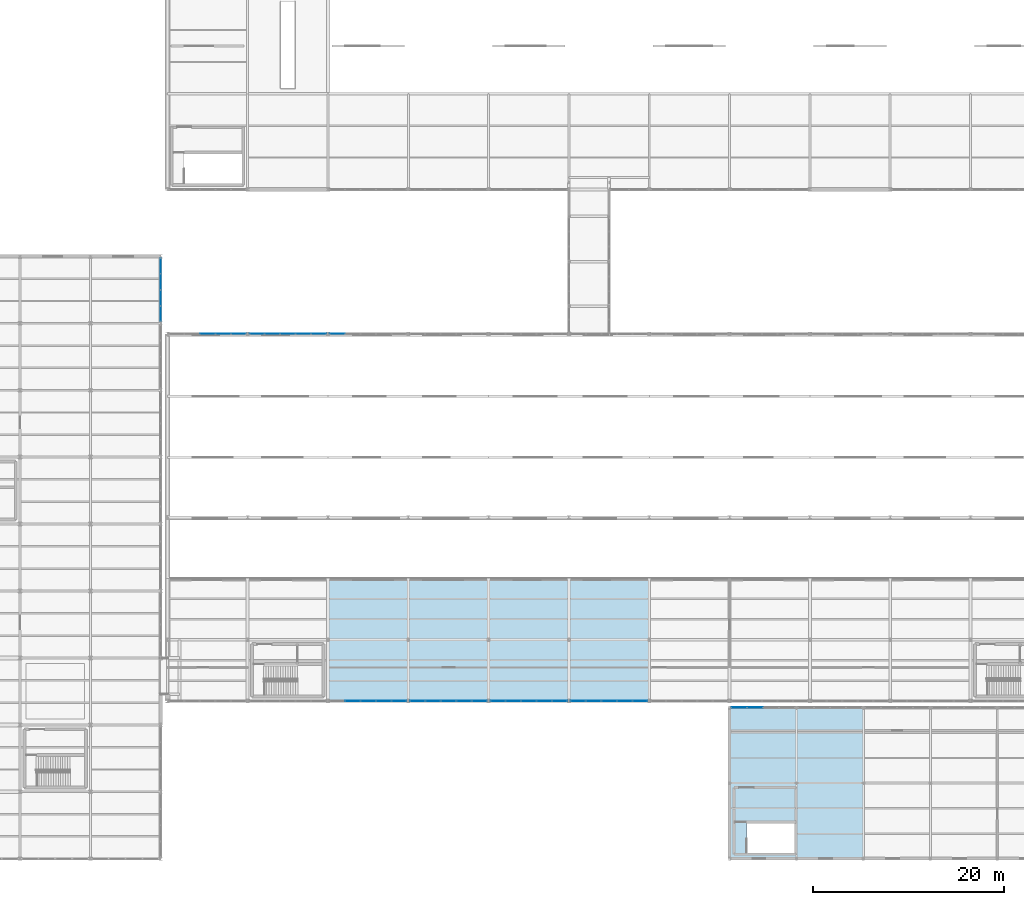
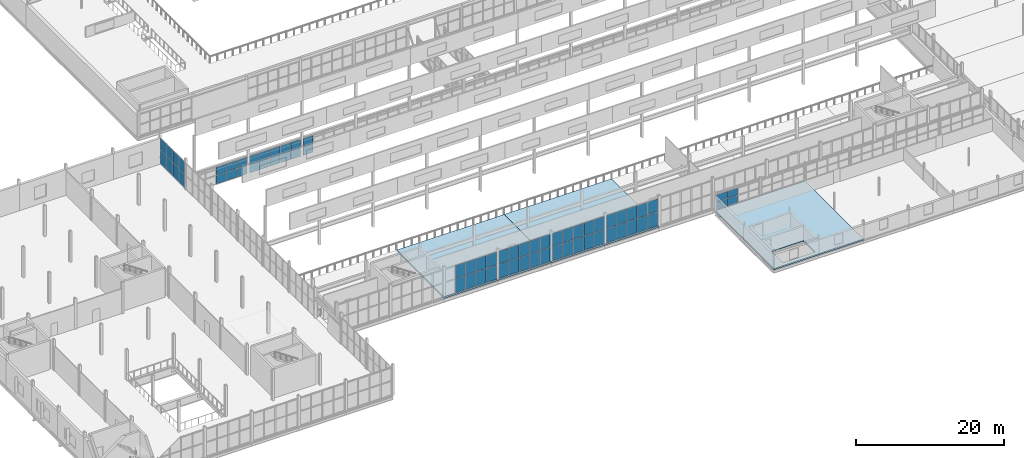
# One storey, part 180 of 218: 68 plates, 3 slabs, 9 elements without a shape of their own.
"""IFC4 building model written with IfcOpenShell, lengths in metres."""

from ifc_helpers import new_model, si_unit, direction, frame, origin, origin_2d, place, context, subcontext, project, spatial, polyline, rectangle, outline, extrude, material, layer, layer_set, type_object, element, aggregate, save


model = new_model("IFC4")

# Units and contexts
model_context = context("Model", 3, precision=1e-05, world=origin(), true_north=direction((0.0, 1.0)))
body_context = subcontext(model_context, "Body", "Model", "MODEL_VIEW")
ifc_project = project(units=[si_unit("LENGTHUNIT", "METRE"), si_unit("AREAUNIT", "SQUARE_METRE"), si_unit("VOLUMEUNIT", "CUBIC_METRE"), si_unit("PLANEANGLEUNIT", "RADIAN"), si_unit("MASSUNIT", "GRAM", prefix="KILO")], contexts=[model_context])

# Site, building, storey
site_placement = place(None, origin())
site = spatial("IfcSite", under=ifc_project, at=site_placement, CompositionType="ELEMENT")
building_placement = place(site_placement, origin())
building = spatial("IfcBuilding", under=site, at=building_placement, Name="Kazenagashi Tramway Depot", CompositionType="ELEMENT")
storey_placement = place(building_placement, frame((0.0, 0.0, 6.0)))
storey = spatial("IfcBuildingStorey", under=building, at=storey_placement, Name="L02", CompositionType="ELEMENT", Elevation=6.0)

# Curtain wall, plates
ifc_material_1 = material(Name="Anodised Aluminium and Low-E Glazing", Category="aluminium")
curtain_wall_type_1 = type_object("IfcCurtainWallType", Name="CW-20", PredefinedType="USERDEFINED", material=ifc_material_1)
curtain_wall_1_placement = place(storey_placement, origin())
curtain_wall_1 = element("IfcCurtainWall", 1, at=curtain_wall_1_placement, inside=storey, type_object=curtain_wall_type_1, Name="Industrial Glazed Screen CW-20 CW-0097", ObjectType="GLAZED SCREEN", PredefinedType="USERDEFINED")
ifc_material_2 = material(Name="Tempered Laminated Low-E Glass", Category="glass")
ifc_layer_1 = layer(ifc_material_2, 0.016)
ifc_layer_set_1 = layer_set([ifc_layer_1], Name="Tempered Laminated Low-E Glass")
plate_type_1 = type_object("IfcPlateType", Name="GL-01", PredefinedType="CURTAIN_PANEL", material=ifc_layer_set_1)
plate_1_placement = place(storey_placement, frame((64.176, 16.5, 0.06), z_axis=(0.0, 0.0, 1.0), x_axis=(1.0, 0.0, 0.0)))
plate_1 = element("IfcPlate", 2, at=plate_1_placement, type_object=plate_type_1, Name="CW-20 panel 2.1", PredefinedType="CURTAIN_PANEL", context=body_context, shape_type="SweptSolid", body=[
    extrude(rectangle(XDim=1.564, YDim=0.016, at=origin_2d()), origin(), (0.0, 0.0, 1.0), 2.302),
])
plate_2_placement = place(storey_placement, frame((64.176, 16.5, 2.422), z_axis=(0.0, 0.0, 1.0), x_axis=(1.0, 0.0, 0.0)))
plate_2 = element("IfcPlate", 3, at=plate_2_placement, type_object=plate_type_1, Name="CW-20 panel 2.2", PredefinedType="CURTAIN_PANEL", context=body_context, shape_type="SweptSolid", body=[
    extrude(rectangle(XDim=1.564, YDim=0.016, at=origin_2d()), origin(), (0.0, 0.0, 1.0), 2.118),
])
plate_3_placement = place(storey_placement, frame((65.8, 16.5, 0.06), z_axis=(0.0, 0.0, 1.0), x_axis=(1.0, 0.0, 0.0)))
plate_3 = element("IfcPlate", 4, at=plate_3_placement, type_object=plate_type_1, Name="CW-20 panel 3.1", PredefinedType="CURTAIN_PANEL", context=body_context, shape_type="SweptSolid", body=[
    extrude(rectangle(XDim=1.564, YDim=0.016, at=origin_2d()), origin(), (0.0, 0.0, 1.0), 2.302),
])
plate_4_placement = place(storey_placement, frame((65.8, 16.5, 2.422), z_axis=(0.0, 0.0, 1.0), x_axis=(1.0, 0.0, 0.0)))
plate_4 = element("IfcPlate", 5, at=plate_4_placement, type_object=plate_type_1, Name="CW-20 panel 3.2", PredefinedType="CURTAIN_PANEL", context=body_context, shape_type="SweptSolid", body=[
    extrude(rectangle(XDim=1.564, YDim=0.016, at=origin_2d()), origin(), (0.0, 0.0, 1.0), 2.118),
])
plate_5_placement = place(storey_placement, frame((67.424, 16.5, 0.06), z_axis=(0.0, 0.0, 1.0), x_axis=(1.0, 0.0, 0.0)))
plate_5 = element("IfcPlate", 6, at=plate_5_placement, type_object=plate_type_1, Name="CW-20 panel 4.1", PredefinedType="CURTAIN_PANEL", context=body_context, shape_type="SweptSolid", body=[
    extrude(rectangle(XDim=1.564, YDim=0.016, at=origin_2d()), origin(), (0.0, 0.0, 1.0), 2.302),
])
plate_6_placement = place(storey_placement, frame((67.424, 16.5, 2.422), z_axis=(0.0, 0.0, 1.0), x_axis=(1.0, 0.0, 0.0)))
plate_6 = element("IfcPlate", 7, at=plate_6_placement, type_object=plate_type_1, Name="CW-20 panel 4.2", PredefinedType="CURTAIN_PANEL", context=body_context, shape_type="SweptSolid", body=[
    extrude(rectangle(XDim=1.564, YDim=0.016, at=origin_2d()), origin(), (0.0, 0.0, 1.0), 2.118),
])
plate_7_placement = place(storey_placement, frame((69.033, 16.5, 0.06), z_axis=(0.0, 0.0, 1.0), x_axis=(1.0, 0.0, 0.0)))
plate_7 = element("IfcPlate", 8, at=plate_7_placement, type_object=plate_type_1, Name="CW-20 panel 5.1", PredefinedType="CURTAIN_PANEL", context=body_context, shape_type="SweptSolid", body=[
    extrude(rectangle(XDim=1.534, YDim=0.016, at=origin_2d()), origin(), (0.0, 0.0, 1.0), 2.302),
])
plate_8_placement = place(storey_placement, frame((69.033, 16.5, 2.422), z_axis=(0.0, 0.0, 1.0), x_axis=(1.0, 0.0, 0.0)))
plate_8 = element("IfcPlate", 9, at=plate_8_placement, type_object=plate_type_1, Name="CW-20 panel 5.2", PredefinedType="CURTAIN_PANEL", context=body_context, shape_type="SweptSolid", body=[
    extrude(rectangle(XDim=1.534, YDim=0.016, at=origin_2d()), origin(), (0.0, 0.0, 1.0), 2.118),
])
aggregate(curtain_wall_1, [plate_1, plate_2, plate_3, plate_4, plate_5, plate_6, plate_7, plate_8])

curtain_wall_2_placement = place(storey_placement, origin())
curtain_wall_2 = element("IfcCurtainWall", 10, at=curtain_wall_2_placement, inside=storey, type_object=curtain_wall_type_1, Name="Industrial Glazed Screen CW-20 CW-0098", ObjectType="GLAZED SCREEN", PredefinedType="USERDEFINED")
ifc_layer_2 = layer(ifc_material_2, 0.018)
ifc_layer_set_2 = layer_set([ifc_layer_2], Name="Tempered Laminated Low-E Glass")
plate_type_2 = type_object("IfcPlateType", Name="GL-02", PredefinedType="CURTAIN_PANEL", material=ifc_layer_set_2)
plate_9_placement = place(storey_placement, frame((70.967, 16.5, 0.06), z_axis=(0.0, 0.0, 1.0), x_axis=(1.0, 0.0, 0.0)))
plate_9 = element("IfcPlate", 11, at=plate_9_placement, type_object=plate_type_2, Name="CW-20 panel 1.1", PredefinedType="CURTAIN_PANEL", context=body_context, shape_type="SweptSolid", body=[
    extrude(rectangle(XDim=1.534, YDim=0.018, at=origin_2d()), origin(), (0.0, 0.0, 1.0), 2.302),
])
plate_10_placement = place(storey_placement, frame((70.967, 16.5, 2.422), z_axis=(0.0, 0.0, 1.0), x_axis=(1.0, 0.0, 0.0)))
plate_10 = element("IfcPlate", 12, at=plate_10_placement, type_object=plate_type_2, Name="CW-20 panel 1.2", PredefinedType="CURTAIN_PANEL", context=body_context, shape_type="SweptSolid", body=[
    extrude(rectangle(XDim=1.534, YDim=0.018, at=origin_2d()), origin(), (0.0, 0.0, 1.0), 2.118),
])
plate_11_placement = place(storey_placement, frame((72.576, 16.5, 0.06), z_axis=(0.0, 0.0, 1.0), x_axis=(1.0, 0.0, 0.0)))
plate_11 = element("IfcPlate", 13, at=plate_11_placement, type_object=plate_type_2, Name="CW-20 panel 2.1", PredefinedType="CURTAIN_PANEL", context=body_context, shape_type="SweptSolid", body=[
    extrude(rectangle(XDim=1.564, YDim=0.018, at=origin_2d()), origin(), (0.0, 0.0, 1.0), 2.302),
])
plate_12_placement = place(storey_placement, frame((72.576, 16.5, 2.422), z_axis=(0.0, 0.0, 1.0), x_axis=(1.0, 0.0, 0.0)))
plate_12 = element("IfcPlate", 14, at=plate_12_placement, type_object=plate_type_2, Name="CW-20 panel 2.2", PredefinedType="CURTAIN_PANEL", context=body_context, shape_type="SweptSolid", body=[
    extrude(rectangle(XDim=1.564, YDim=0.018, at=origin_2d()), origin(), (0.0, 0.0, 1.0), 2.118),
])
plate_13_placement = place(storey_placement, frame((74.2, 16.5, 0.06), z_axis=(0.0, 0.0, 1.0), x_axis=(1.0, 0.0, 0.0)))
plate_13 = element("IfcPlate", 15, at=plate_13_placement, type_object=plate_type_2, Name="CW-20 panel 3.1", PredefinedType="CURTAIN_PANEL", context=body_context, shape_type="SweptSolid", body=[
    extrude(rectangle(XDim=1.564, YDim=0.018, at=origin_2d()), origin(), (0.0, 0.0, 1.0), 2.302),
])
plate_14_placement = place(storey_placement, frame((74.2, 16.5, 2.422), z_axis=(0.0, 0.0, 1.0), x_axis=(1.0, 0.0, 0.0)))
plate_14 = element("IfcPlate", 16, at=plate_14_placement, type_object=plate_type_2, Name="CW-20 panel 3.2", PredefinedType="CURTAIN_PANEL", context=body_context, shape_type="SweptSolid", body=[
    extrude(rectangle(XDim=1.564, YDim=0.018, at=origin_2d()), origin(), (0.0, 0.0, 1.0), 2.118),
])
plate_15_placement = place(storey_placement, frame((75.824, 16.5, 0.06), z_axis=(0.0, 0.0, 1.0), x_axis=(1.0, 0.0, 0.0)))
plate_15 = element("IfcPlate", 17, at=plate_15_placement, type_object=plate_type_2, Name="CW-20 panel 4.1", PredefinedType="CURTAIN_PANEL", context=body_context, shape_type="SweptSolid", body=[
    extrude(rectangle(XDim=1.564, YDim=0.018, at=origin_2d()), origin(), (0.0, 0.0, 1.0), 2.302),
])
plate_16_placement = place(storey_placement, frame((75.824, 16.5, 2.422), z_axis=(0.0, 0.0, 1.0), x_axis=(1.0, 0.0, 0.0)))
plate_16 = element("IfcPlate", 18, at=plate_16_placement, type_object=plate_type_2, Name="CW-20 panel 4.2", PredefinedType="CURTAIN_PANEL", context=body_context, shape_type="SweptSolid", body=[
    extrude(rectangle(XDim=1.564, YDim=0.018, at=origin_2d()), origin(), (0.0, 0.0, 1.0), 2.118),
])
plate_17_placement = place(storey_placement, frame((77.433, 16.5, 0.06), z_axis=(0.0, 0.0, 1.0), x_axis=(1.0, 0.0, 0.0)))
plate_17 = element("IfcPlate", 19, at=plate_17_placement, type_object=plate_type_2, Name="CW-20 panel 5.1", PredefinedType="CURTAIN_PANEL", context=body_context, shape_type="SweptSolid", body=[
    extrude(rectangle(XDim=1.534, YDim=0.018, at=origin_2d()), origin(), (0.0, 0.0, 1.0), 2.302),
])
plate_18_placement = place(storey_placement, frame((77.433, 16.5, 2.422), z_axis=(0.0, 0.0, 1.0), x_axis=(1.0, 0.0, 0.0)))
plate_18 = element("IfcPlate", 20, at=plate_18_placement, type_object=plate_type_2, Name="CW-20 panel 5.2", PredefinedType="CURTAIN_PANEL", context=body_context, shape_type="SweptSolid", body=[
    extrude(rectangle(XDim=1.534, YDim=0.018, at=origin_2d()), origin(), (0.0, 0.0, 1.0), 2.118),
])
aggregate(curtain_wall_2, [plate_9, plate_10, plate_11, plate_12, plate_13, plate_14, plate_15, plate_16, plate_17, plate_18])

curtain_wall_3_placement = place(storey_placement, origin())
curtain_wall_3 = element("IfcCurtainWall", 21, at=curtain_wall_3_placement, inside=storey, type_object=curtain_wall_type_1, Name="Industrial Glazed Screen CW-20 CW-0099", ObjectType="GLAZED SCREEN", PredefinedType="USERDEFINED")
ifc_layer_3 = layer(ifc_material_2, 0.02)
ifc_layer_set_3 = layer_set([ifc_layer_3], Name="Tempered Laminated Low-E Glass")
plate_type_3 = type_object("IfcPlateType", Name="GL-03", PredefinedType="CURTAIN_PANEL", material=ifc_layer_set_3)
plate_19_placement = place(storey_placement, frame((79.367, 16.5, 0.06), z_axis=(0.0, 0.0, 1.0), x_axis=(1.0, 0.0, 0.0)))
plate_19 = element("IfcPlate", 22, at=plate_19_placement, type_object=plate_type_3, Name="CW-20 panel 1.1", PredefinedType="CURTAIN_PANEL", context=body_context, shape_type="SweptSolid", body=[
    extrude(rectangle(XDim=1.534, YDim=0.02, at=origin_2d()), origin(), (0.0, 0.0, 1.0), 2.302),
])
plate_20_placement = place(storey_placement, frame((79.367, 16.5, 2.422), z_axis=(0.0, 0.0, 1.0), x_axis=(1.0, 0.0, 0.0)))
plate_20 = element("IfcPlate", 23, at=plate_20_placement, type_object=plate_type_3, Name="CW-20 panel 1.2", PredefinedType="CURTAIN_PANEL", context=body_context, shape_type="SweptSolid", body=[
    extrude(rectangle(XDim=1.534, YDim=0.02, at=origin_2d()), origin(), (0.0, 0.0, 1.0), 2.118),
])
plate_21_placement = place(storey_placement, frame((80.976, 16.5, 0.06), z_axis=(0.0, 0.0, 1.0), x_axis=(1.0, 0.0, 0.0)))
plate_21 = element("IfcPlate", 24, at=plate_21_placement, type_object=plate_type_3, Name="CW-20 panel 2.1", PredefinedType="CURTAIN_PANEL", context=body_context, shape_type="SweptSolid", body=[
    extrude(rectangle(XDim=1.564, YDim=0.02, at=origin_2d()), origin(), (0.0, 0.0, 1.0), 2.302),
])
plate_22_placement = place(storey_placement, frame((80.976, 16.5, 2.422), z_axis=(0.0, 0.0, 1.0), x_axis=(1.0, 0.0, 0.0)))
plate_22 = element("IfcPlate", 25, at=plate_22_placement, type_object=plate_type_3, Name="CW-20 panel 2.2", PredefinedType="CURTAIN_PANEL", context=body_context, shape_type="SweptSolid", body=[
    extrude(rectangle(XDim=1.564, YDim=0.02, at=origin_2d()), origin(), (0.0, 0.0, 1.0), 2.118),
])
plate_23_placement = place(storey_placement, frame((82.6, 16.5, 0.06), z_axis=(0.0, 0.0, 1.0), x_axis=(1.0, 0.0, 0.0)))
plate_23 = element("IfcPlate", 26, at=plate_23_placement, type_object=plate_type_3, Name="CW-20 panel 3.1", PredefinedType="CURTAIN_PANEL", context=body_context, shape_type="SweptSolid", body=[
    extrude(rectangle(XDim=1.564, YDim=0.02, at=origin_2d()), origin(), (0.0, 0.0, 1.0), 2.302),
])
plate_24_placement = place(storey_placement, frame((82.6, 16.5, 2.422), z_axis=(0.0, 0.0, 1.0), x_axis=(1.0, 0.0, 0.0)))
plate_24 = element("IfcPlate", 27, at=plate_24_placement, type_object=plate_type_3, Name="CW-20 panel 3.2", PredefinedType="CURTAIN_PANEL", context=body_context, shape_type="SweptSolid", body=[
    extrude(rectangle(XDim=1.564, YDim=0.02, at=origin_2d()), origin(), (0.0, 0.0, 1.0), 2.118),
])
plate_25_placement = place(storey_placement, frame((84.224, 16.5, 0.06), z_axis=(0.0, 0.0, 1.0), x_axis=(1.0, 0.0, 0.0)))
plate_25 = element("IfcPlate", 28, at=plate_25_placement, type_object=plate_type_3, Name="CW-20 panel 4.1", PredefinedType="CURTAIN_PANEL", context=body_context, shape_type="SweptSolid", body=[
    extrude(rectangle(XDim=1.564, YDim=0.02, at=origin_2d()), origin(), (0.0, 0.0, 1.0), 2.302),
])
plate_26_placement = place(storey_placement, frame((84.224, 16.5, 2.422), z_axis=(0.0, 0.0, 1.0), x_axis=(1.0, 0.0, 0.0)))
plate_26 = element("IfcPlate", 29, at=plate_26_placement, type_object=plate_type_3, Name="CW-20 panel 4.2", PredefinedType="CURTAIN_PANEL", context=body_context, shape_type="SweptSolid", body=[
    extrude(rectangle(XDim=1.564, YDim=0.02, at=origin_2d()), origin(), (0.0, 0.0, 1.0), 2.118),
])
plate_27_placement = place(storey_placement, frame((85.833, 16.5, 0.06), z_axis=(0.0, 0.0, 1.0), x_axis=(1.0, 0.0, 0.0)))
plate_27 = element("IfcPlate", 30, at=plate_27_placement, type_object=plate_type_3, Name="CW-20 panel 5.1", PredefinedType="CURTAIN_PANEL", context=body_context, shape_type="SweptSolid", body=[
    extrude(rectangle(XDim=1.534, YDim=0.02, at=origin_2d()), origin(), (0.0, 0.0, 1.0), 2.302),
])
plate_28_placement = place(storey_placement, frame((85.833, 16.5, 2.422), z_axis=(0.0, 0.0, 1.0), x_axis=(1.0, 0.0, 0.0)))
plate_28 = element("IfcPlate", 31, at=plate_28_placement, type_object=plate_type_3, Name="CW-20 panel 5.2", PredefinedType="CURTAIN_PANEL", context=body_context, shape_type="SweptSolid", body=[
    extrude(rectangle(XDim=1.534, YDim=0.02, at=origin_2d()), origin(), (0.0, 0.0, 1.0), 2.118),
])
aggregate(curtain_wall_3, [plate_19, plate_20, plate_21, plate_22, plate_23, plate_24, plate_25, plate_26, plate_27, plate_28])

curtain_wall_4_placement = place(storey_placement, origin())
curtain_wall_4 = element("IfcCurtainWall", 32, at=curtain_wall_4_placement, inside=storey, type_object=curtain_wall_type_1, Name="Industrial Glazed Screen CW-20 CW-0100", ObjectType="GLAZED SCREEN", PredefinedType="USERDEFINED")
ifc_layer_4 = layer(ifc_material_2, 0.022)
ifc_layer_set_4 = layer_set([ifc_layer_4], Name="Tempered Laminated Low-E Glass")
plate_type_4 = type_object("IfcPlateType", Name="GL-04", PredefinedType="CURTAIN_PANEL", material=ifc_layer_set_4)
plate_29_placement = place(storey_placement, frame((87.767, 16.5, 0.06), z_axis=(0.0, 0.0, 1.0), x_axis=(1.0, 0.0, 0.0)))
plate_29 = element("IfcPlate", 33, at=plate_29_placement, type_object=plate_type_4, Name="CW-20 panel 1.1", PredefinedType="CURTAIN_PANEL", context=body_context, shape_type="SweptSolid", body=[
    extrude(rectangle(XDim=1.534, YDim=0.022, at=origin_2d()), origin(), (0.0, 0.0, 1.0), 2.302),
])
plate_30_placement = place(storey_placement, frame((87.767, 16.5, 2.422), z_axis=(0.0, 0.0, 1.0), x_axis=(1.0, 0.0, 0.0)))
plate_30 = element("IfcPlate", 34, at=plate_30_placement, type_object=plate_type_4, Name="CW-20 panel 1.2", PredefinedType="CURTAIN_PANEL", context=body_context, shape_type="SweptSolid", body=[
    extrude(rectangle(XDim=1.534, YDim=0.022, at=origin_2d()), origin(), (0.0, 0.0, 1.0), 2.118),
])
plate_31_placement = place(storey_placement, frame((89.376, 16.5, 0.06), z_axis=(0.0, 0.0, 1.0), x_axis=(1.0, 0.0, 0.0)))
plate_31 = element("IfcPlate", 35, at=plate_31_placement, type_object=plate_type_4, Name="CW-20 panel 2.1", PredefinedType="CURTAIN_PANEL", context=body_context, shape_type="SweptSolid", body=[
    extrude(rectangle(XDim=1.564, YDim=0.022, at=origin_2d()), origin(), (0.0, 0.0, 1.0), 2.302),
])
plate_32_placement = place(storey_placement, frame((89.376, 16.5, 2.422), z_axis=(0.0, 0.0, 1.0), x_axis=(1.0, 0.0, 0.0)))
plate_32 = element("IfcPlate", 36, at=plate_32_placement, type_object=plate_type_4, Name="CW-20 panel 2.2", PredefinedType="CURTAIN_PANEL", context=body_context, shape_type="SweptSolid", body=[
    extrude(rectangle(XDim=1.564, YDim=0.022, at=origin_2d()), origin(), (0.0, 0.0, 1.0), 2.118),
])
plate_33_placement = place(storey_placement, frame((91.0, 16.5, 0.06), z_axis=(0.0, 0.0, 1.0), x_axis=(1.0, 0.0, 0.0)))
plate_33 = element("IfcPlate", 37, at=plate_33_placement, type_object=plate_type_4, Name="CW-20 panel 3.1", PredefinedType="CURTAIN_PANEL", context=body_context, shape_type="SweptSolid", body=[
    extrude(rectangle(XDim=1.564, YDim=0.022, at=origin_2d()), origin(), (0.0, 0.0, 1.0), 2.302),
])
plate_34_placement = place(storey_placement, frame((91.0, 16.5, 2.422), z_axis=(0.0, 0.0, 1.0), x_axis=(1.0, 0.0, 0.0)))
plate_34 = element("IfcPlate", 38, at=plate_34_placement, type_object=plate_type_4, Name="CW-20 panel 3.2", PredefinedType="CURTAIN_PANEL", context=body_context, shape_type="SweptSolid", body=[
    extrude(rectangle(XDim=1.564, YDim=0.022, at=origin_2d()), origin(), (0.0, 0.0, 1.0), 2.118),
])
plate_35_placement = place(storey_placement, frame((92.624, 16.5, 0.06), z_axis=(0.0, 0.0, 1.0), x_axis=(1.0, 0.0, 0.0)))
plate_35 = element("IfcPlate", 39, at=plate_35_placement, type_object=plate_type_4, Name="CW-20 panel 4.1", PredefinedType="CURTAIN_PANEL", context=body_context, shape_type="SweptSolid", body=[
    extrude(rectangle(XDim=1.564, YDim=0.022, at=origin_2d()), origin(), (0.0, 0.0, 1.0), 2.302),
])
plate_36_placement = place(storey_placement, frame((92.624, 16.5, 2.422), z_axis=(0.0, 0.0, 1.0), x_axis=(1.0, 0.0, 0.0)))
plate_36 = element("IfcPlate", 40, at=plate_36_placement, type_object=plate_type_4, Name="CW-20 panel 4.2", PredefinedType="CURTAIN_PANEL", context=body_context, shape_type="SweptSolid", body=[
    extrude(rectangle(XDim=1.564, YDim=0.022, at=origin_2d()), origin(), (0.0, 0.0, 1.0), 2.118),
])
plate_37_placement = place(storey_placement, frame((94.233, 16.5, 0.06), z_axis=(0.0, 0.0, 1.0), x_axis=(1.0, 0.0, 0.0)))
plate_37 = element("IfcPlate", 41, at=plate_37_placement, type_object=plate_type_4, Name="CW-20 panel 5.1", PredefinedType="CURTAIN_PANEL", context=body_context, shape_type="SweptSolid", body=[
    extrude(rectangle(XDim=1.534, YDim=0.022, at=origin_2d()), origin(), (0.0, 0.0, 1.0), 2.302),
])
plate_38_placement = place(storey_placement, frame((94.233, 16.5, 2.422), z_axis=(0.0, 0.0, 1.0), x_axis=(1.0, 0.0, 0.0)))
plate_38 = element("IfcPlate", 42, at=plate_38_placement, type_object=plate_type_4, Name="CW-20 panel 5.2", PredefinedType="CURTAIN_PANEL", context=body_context, shape_type="SweptSolid", body=[
    extrude(rectangle(XDim=1.534, YDim=0.022, at=origin_2d()), origin(), (0.0, 0.0, 1.0), 2.118),
])
aggregate(curtain_wall_4, [plate_29, plate_30, plate_31, plate_32, plate_33, plate_34, plate_35, plate_36, plate_37, plate_38])

curtain_wall_type_2 = type_object("IfcCurtainWallType", Name="CW-34", PredefinedType="USERDEFINED", material=ifc_material_1)
curtain_wall_5_placement = place(storey_placement, origin())
curtain_wall_5 = element("IfcCurtainWall", 43, at=curtain_wall_5_placement, inside=storey, type_object=curtain_wall_type_2, Name="Industrial Glazed Screen CW-34 CW-0196", ObjectType="GLAZED SCREEN", PredefinedType="USERDEFINED")
plate_39_placement = place(storey_placement, frame((44.1, 56.995, 0.06), z_axis=(0.0, 0.0, 1.0), x_axis=(0.0, 1.0, 0.0)))
plate_39 = element("IfcPlate", 44, at=plate_39_placement, type_object=plate_type_4, Name="CW-34 panel 1.1", PredefinedType="CURTAIN_PANEL", context=body_context, shape_type="SweptSolid", body=[
    extrude(rectangle(XDim=1.59, YDim=0.022, at=origin_2d()), origin(), (0.0, 0.0, 1.0), 2.178),
])
plate_40_placement = place(storey_placement, frame((44.1, 56.995, 2.298), z_axis=(0.0, 0.0, 1.0), x_axis=(0.0, 1.0, 0.0)))
plate_40 = element("IfcPlate", 45, at=plate_40_placement, type_object=plate_type_4, Name="CW-34 panel 1.2", PredefinedType="CURTAIN_PANEL", context=body_context, shape_type="SweptSolid", body=[
    extrude(rectangle(XDim=1.59, YDim=0.022, at=origin_2d()), origin(), (0.0, 0.0, 1.0), 2.004),
])
plate_41_placement = place(storey_placement, frame((44.1, 58.66, 0.06), z_axis=(0.0, 0.0, 1.0), x_axis=(0.0, 1.0, 0.0)))
plate_41 = element("IfcPlate", 46, at=plate_41_placement, type_object=plate_type_4, Name="CW-34 panel 2.1", PredefinedType="CURTAIN_PANEL", context=body_context, shape_type="SweptSolid", body=[
    extrude(rectangle(XDim=1.62, YDim=0.022, at=origin_2d()), origin(), (0.0, 0.0, 1.0), 2.178),
])
plate_42_placement = place(storey_placement, frame((44.1, 58.66, 2.298), z_axis=(0.0, 0.0, 1.0), x_axis=(0.0, 1.0, 0.0)))
plate_42 = element("IfcPlate", 47, at=plate_42_placement, type_object=plate_type_4, Name="CW-34 panel 2.2", PredefinedType="CURTAIN_PANEL", context=body_context, shape_type="SweptSolid", body=[
    extrude(rectangle(XDim=1.62, YDim=0.022, at=origin_2d()), origin(), (0.0, 0.0, 1.0), 2.004),
])
plate_43_placement = place(storey_placement, frame((44.1, 60.34, 0.06), z_axis=(0.0, 0.0, 1.0), x_axis=(0.0, 1.0, 0.0)))
plate_43 = element("IfcPlate", 48, at=plate_43_placement, type_object=plate_type_4, Name="CW-34 panel 3.1", PredefinedType="CURTAIN_PANEL", context=body_context, shape_type="SweptSolid", body=[
    extrude(rectangle(XDim=1.62, YDim=0.022, at=origin_2d()), origin(), (0.0, 0.0, 1.0), 2.178),
])
plate_44_placement = place(storey_placement, frame((44.1, 60.34, 2.298), z_axis=(0.0, 0.0, 1.0), x_axis=(0.0, 1.0, 0.0)))
plate_44 = element("IfcPlate", 49, at=plate_44_placement, type_object=plate_type_4, Name="CW-34 panel 3.2", PredefinedType="CURTAIN_PANEL", context=body_context, shape_type="SweptSolid", body=[
    extrude(rectangle(XDim=1.62, YDim=0.022, at=origin_2d()), origin(), (0.0, 0.0, 1.0), 2.004),
])
plate_45_placement = place(storey_placement, frame((44.1, 62.005, 0.06), z_axis=(0.0, 0.0, 1.0), x_axis=(0.0, 1.0, 0.0)))
plate_45 = element("IfcPlate", 50, at=plate_45_placement, type_object=plate_type_4, Name="CW-34 panel 4.1", PredefinedType="CURTAIN_PANEL", context=body_context, shape_type="SweptSolid", body=[
    extrude(rectangle(XDim=1.59, YDim=0.022, at=origin_2d()), origin(), (0.0, 0.0, 1.0), 2.178),
])
plate_46_placement = place(storey_placement, frame((44.1, 62.005, 2.298), z_axis=(0.0, 0.0, 1.0), x_axis=(0.0, 1.0, 0.0)))
plate_46 = element("IfcPlate", 51, at=plate_46_placement, type_object=plate_type_4, Name="CW-34 panel 4.2", PredefinedType="CURTAIN_PANEL", context=body_context, shape_type="SweptSolid", body=[
    extrude(rectangle(XDim=1.59, YDim=0.022, at=origin_2d()), origin(), (0.0, 0.0, 1.0), 2.004),
])
aggregate(curtain_wall_5, [plate_39, plate_40, plate_41, plate_42, plate_43, plate_44, plate_45, plate_46])

curtain_wall_type_3 = type_object("IfcCurtainWallType", Name="CW-21", PredefinedType="USERDEFINED", material=ifc_material_1)
curtain_wall_6_placement = place(storey_placement, origin())
curtain_wall_6 = element("IfcCurtainWall", 52, at=curtain_wall_6_placement, inside=storey, type_object=curtain_wall_type_3, Name="Industrial Glazed Screen CW-21 CW-0107", ObjectType="GLAZED SCREEN", PredefinedType="USERDEFINED")
ifc_layer_5 = layer(ifc_material_2, 0.036)
ifc_layer_set_5 = layer_set([ifc_layer_5], Name="Tempered Laminated Low-E Glass")
plate_type_5 = type_object("IfcPlateType", Name="GL-11", PredefinedType="CURTAIN_PANEL", material=ifc_layer_set_5)
plate_47_placement = place(storey_placement, frame((49.0, 54.9, 0.06), z_axis=(0.0, 0.0, 1.0), x_axis=(1.0, 0.0, 0.0)))
plate_47 = element("IfcPlate", 53, at=plate_47_placement, type_object=plate_type_5, Name="CW-21 panel 3.1", PredefinedType="CURTAIN_PANEL", context=body_context, shape_type="SweptSolid", body=[
    extrude(rectangle(XDim=1.564, YDim=0.036, at=origin_2d()), origin(), (0.0, 0.0, 1.0), 1.418),
])
plate_48_placement = place(storey_placement, frame((49.0, 54.9, 1.538), z_axis=(0.0, 0.0, 1.0), x_axis=(1.0, 0.0, 0.0)))
plate_48 = element("IfcPlate", 54, at=plate_48_placement, type_object=plate_type_5, Name="CW-21 panel 3.2", PredefinedType="CURTAIN_PANEL", context=body_context, shape_type="SweptSolid", body=[
    extrude(rectangle(XDim=1.564, YDim=0.036, at=origin_2d()), origin(), (0.0, 0.0, 1.0), 1.302),
])
plate_49_placement = place(storey_placement, frame((50.624, 54.9, 0.06), z_axis=(0.0, 0.0, 1.0), x_axis=(1.0, 0.0, 0.0)))
plate_49 = element("IfcPlate", 55, at=plate_49_placement, type_object=plate_type_5, Name="CW-21 panel 4.1", PredefinedType="CURTAIN_PANEL", context=body_context, shape_type="SweptSolid", body=[
    extrude(rectangle(XDim=1.564, YDim=0.036, at=origin_2d()), origin(), (0.0, 0.0, 1.0), 1.418),
])
plate_50_placement = place(storey_placement, frame((50.624, 54.9, 1.538), z_axis=(0.0, 0.0, 1.0), x_axis=(1.0, 0.0, 0.0)))
plate_50 = element("IfcPlate", 56, at=plate_50_placement, type_object=plate_type_5, Name="CW-21 panel 4.2", PredefinedType="CURTAIN_PANEL", context=body_context, shape_type="SweptSolid", body=[
    extrude(rectangle(XDim=1.564, YDim=0.036, at=origin_2d()), origin(), (0.0, 0.0, 1.0), 1.302),
])
plate_51_placement = place(storey_placement, frame((52.233, 54.9, 0.06), z_axis=(0.0, 0.0, 1.0), x_axis=(1.0, 0.0, 0.0)))
plate_51 = element("IfcPlate", 57, at=plate_51_placement, type_object=plate_type_5, Name="CW-21 panel 5.1", PredefinedType="CURTAIN_PANEL", context=body_context, shape_type="SweptSolid", body=[
    extrude(rectangle(XDim=1.534, YDim=0.036, at=origin_2d()), origin(), (0.0, 0.0, 1.0), 1.418),
])
plate_52_placement = place(storey_placement, frame((52.233, 54.9, 1.538), z_axis=(0.0, 0.0, 1.0), x_axis=(1.0, 0.0, 0.0)))
plate_52 = element("IfcPlate", 58, at=plate_52_placement, type_object=plate_type_5, Name="CW-21 panel 5.2", PredefinedType="CURTAIN_PANEL", context=body_context, shape_type="SweptSolid", body=[
    extrude(rectangle(XDim=1.534, YDim=0.036, at=origin_2d()), origin(), (0.0, 0.0, 1.0), 1.302),
])
aggregate(curtain_wall_6, [plate_47, plate_48, plate_49, plate_50, plate_51, plate_52])

curtain_wall_7_placement = place(storey_placement, origin())
curtain_wall_7 = element("IfcCurtainWall", 59, at=curtain_wall_7_placement, inside=storey, type_object=curtain_wall_type_3, Name="Industrial Glazed Screen CW-21 CW-0108", ObjectType="GLAZED SCREEN", PredefinedType="USERDEFINED")
ifc_layer_6 = layer(ifc_material_2, 0.038)
ifc_layer_set_6 = layer_set([ifc_layer_6], Name="Tempered Laminated Low-E Glass")
plate_type_6 = type_object("IfcPlateType", Name="GL-12", PredefinedType="CURTAIN_PANEL", material=ifc_layer_set_6)
plate_53_placement = place(storey_placement, frame((54.167, 54.9, 0.06), z_axis=(0.0, 0.0, 1.0), x_axis=(1.0, 0.0, 0.0)))
plate_53 = element("IfcPlate", 60, at=plate_53_placement, type_object=plate_type_6, Name="CW-21 panel 1.1", PredefinedType="CURTAIN_PANEL", context=body_context, shape_type="SweptSolid", body=[
    extrude(rectangle(XDim=1.534, YDim=0.038, at=origin_2d()), origin(), (0.0, 0.0, 1.0), 1.418),
])
plate_54_placement = place(storey_placement, frame((54.167, 54.9, 1.538), z_axis=(0.0, 0.0, 1.0), x_axis=(1.0, 0.0, 0.0)))
plate_54 = element("IfcPlate", 61, at=plate_54_placement, type_object=plate_type_6, Name="CW-21 panel 1.2", PredefinedType="CURTAIN_PANEL", context=body_context, shape_type="SweptSolid", body=[
    extrude(rectangle(XDim=1.534, YDim=0.038, at=origin_2d()), origin(), (0.0, 0.0, 1.0), 1.302),
])
plate_55_placement = place(storey_placement, frame((55.776, 54.9, 0.06), z_axis=(0.0, 0.0, 1.0), x_axis=(1.0, 0.0, 0.0)))
plate_55 = element("IfcPlate", 62, at=plate_55_placement, type_object=plate_type_6, Name="CW-21 panel 2.1", PredefinedType="CURTAIN_PANEL", context=body_context, shape_type="SweptSolid", body=[
    extrude(rectangle(XDim=1.564, YDim=0.038, at=origin_2d()), origin(), (0.0, 0.0, 1.0), 1.418),
])
plate_56_placement = place(storey_placement, frame((55.776, 54.9, 1.538), z_axis=(0.0, 0.0, 1.0), x_axis=(1.0, 0.0, 0.0)))
plate_56 = element("IfcPlate", 63, at=plate_56_placement, type_object=plate_type_6, Name="CW-21 panel 2.2", PredefinedType="CURTAIN_PANEL", context=body_context, shape_type="SweptSolid", body=[
    extrude(rectangle(XDim=1.564, YDim=0.038, at=origin_2d()), origin(), (0.0, 0.0, 1.0), 1.302),
])
plate_57_placement = place(storey_placement, frame((57.4, 54.9, 0.06), z_axis=(0.0, 0.0, 1.0), x_axis=(1.0, 0.0, 0.0)))
plate_57 = element("IfcPlate", 64, at=plate_57_placement, type_object=plate_type_6, Name="CW-21 panel 3.1", PredefinedType="CURTAIN_PANEL", context=body_context, shape_type="SweptSolid", body=[
    extrude(rectangle(XDim=1.564, YDim=0.038, at=origin_2d()), origin(), (0.0, 0.0, 1.0), 1.418),
])
plate_58_placement = place(storey_placement, frame((57.4, 54.9, 1.538), z_axis=(0.0, 0.0, 1.0), x_axis=(1.0, 0.0, 0.0)))
plate_58 = element("IfcPlate", 65, at=plate_58_placement, type_object=plate_type_6, Name="CW-21 panel 3.2", PredefinedType="CURTAIN_PANEL", context=body_context, shape_type="SweptSolid", body=[
    extrude(rectangle(XDim=1.564, YDim=0.038, at=origin_2d()), origin(), (0.0, 0.0, 1.0), 1.302),
])
plate_59_placement = place(storey_placement, frame((59.024, 54.9, 0.06), z_axis=(0.0, 0.0, 1.0), x_axis=(1.0, 0.0, 0.0)))
plate_59 = element("IfcPlate", 66, at=plate_59_placement, type_object=plate_type_6, Name="CW-21 panel 4.1", PredefinedType="CURTAIN_PANEL", context=body_context, shape_type="SweptSolid", body=[
    extrude(rectangle(XDim=1.564, YDim=0.038, at=origin_2d()), origin(), (0.0, 0.0, 1.0), 1.418),
])
plate_60_placement = place(storey_placement, frame((59.024, 54.9, 1.538), z_axis=(0.0, 0.0, 1.0), x_axis=(1.0, 0.0, 0.0)))
plate_60 = element("IfcPlate", 67, at=plate_60_placement, type_object=plate_type_6, Name="CW-21 panel 4.2", PredefinedType="CURTAIN_PANEL", context=body_context, shape_type="SweptSolid", body=[
    extrude(rectangle(XDim=1.564, YDim=0.038, at=origin_2d()), origin(), (0.0, 0.0, 1.0), 1.302),
])
plate_61_placement = place(storey_placement, frame((60.633, 54.9, 0.06), z_axis=(0.0, 0.0, 1.0), x_axis=(1.0, 0.0, 0.0)))
plate_61 = element("IfcPlate", 68, at=plate_61_placement, type_object=plate_type_6, Name="CW-21 panel 5.1", PredefinedType="CURTAIN_PANEL", context=body_context, shape_type="SweptSolid", body=[
    extrude(rectangle(XDim=1.534, YDim=0.038, at=origin_2d()), origin(), (0.0, 0.0, 1.0), 1.418),
])
plate_62_placement = place(storey_placement, frame((60.633, 54.9, 1.538), z_axis=(0.0, 0.0, 1.0), x_axis=(1.0, 0.0, 0.0)))
plate_62 = element("IfcPlate", 69, at=plate_62_placement, type_object=plate_type_6, Name="CW-21 panel 5.2", PredefinedType="CURTAIN_PANEL", context=body_context, shape_type="SweptSolid", body=[
    extrude(rectangle(XDim=1.534, YDim=0.038, at=origin_2d()), origin(), (0.0, 0.0, 1.0), 1.302),
])
aggregate(curtain_wall_7, [plate_53, plate_54, plate_55, plate_56, plate_57, plate_58, plate_59, plate_60, plate_61, plate_62])

curtain_wall_8_placement = place(storey_placement, origin())
curtain_wall_8 = element("IfcCurtainWall", 70, at=curtain_wall_8_placement, inside=storey, type_object=curtain_wall_type_3, Name="Industrial Glazed Screen CW-21 CW-0109", ObjectType="GLAZED SCREEN", PredefinedType="USERDEFINED")
ifc_layer_7 = layer(ifc_material_2, 0.04)
ifc_layer_set_7 = layer_set([ifc_layer_7], Name="Tempered Laminated Low-E Glass")
plate_type_7 = type_object("IfcPlateType", Name="GL-13", PredefinedType="CURTAIN_PANEL", material=ifc_layer_set_7)
plate_63_placement = place(storey_placement, frame((62.567, 54.9, 0.06), z_axis=(0.0, 0.0, 1.0), x_axis=(1.0, 0.0, 0.0)))
plate_63 = element("IfcPlate", 71, at=plate_63_placement, type_object=plate_type_7, Name="CW-21 panel 1.1", PredefinedType="CURTAIN_PANEL", context=body_context, shape_type="SweptSolid", body=[
    extrude(rectangle(XDim=1.534, YDim=0.04, at=origin_2d()), origin(), (0.0, 0.0, 1.0), 1.418),
])
plate_64_placement = place(storey_placement, frame((62.567, 54.9, 1.538), z_axis=(0.0, 0.0, 1.0), x_axis=(1.0, 0.0, 0.0)))
plate_64 = element("IfcPlate", 72, at=plate_64_placement, type_object=plate_type_7, Name="CW-21 panel 1.2", PredefinedType="CURTAIN_PANEL", context=body_context, shape_type="SweptSolid", body=[
    extrude(rectangle(XDim=1.534, YDim=0.04, at=origin_2d()), origin(), (0.0, 0.0, 1.0), 1.302),
])
aggregate(curtain_wall_8, [plate_63, plate_64])

curtain_wall_type_4 = type_object("IfcCurtainWallType", Name="CW-32", PredefinedType="USERDEFINED", material=ifc_material_1)
curtain_wall_9_placement = place(storey_placement, origin())
curtain_wall_9 = element("IfcCurtainWall", 73, at=curtain_wall_9_placement, inside=storey, type_object=curtain_wall_type_4, Name="Industrial Glazed Screen CW-32 CW-0174", ObjectType="GLAZED SCREEN", PredefinedType="USERDEFINED")
ifc_layer_8 = layer(ifc_material_2, 0.042)
ifc_layer_set_8 = layer_set([ifc_layer_8], Name="Tempered Laminated Low-E Glass")
plate_type_8 = type_object("IfcPlateType", Name="GL-14", PredefinedType="CURTAIN_PANEL", material=ifc_layer_set_8)
plate_65_placement = place(storey_placement, frame((104.595, 15.8, 0.06), z_axis=(0.0, 0.0, 1.0), x_axis=(1.0, 0.0, 0.0)))
plate_65 = element("IfcPlate", 74, at=plate_65_placement, type_object=plate_type_8, Name="CW-32 panel 1.1", PredefinedType="CURTAIN_PANEL", context=body_context, shape_type="SweptSolid", body=[
    extrude(rectangle(XDim=1.59, YDim=0.042, at=origin_2d()), origin(), (0.0, 0.0, 1.0), 1.262),
])
plate_66_placement = place(storey_placement, frame((104.595, 15.8, 1.382), z_axis=(0.0, 0.0, 1.0), x_axis=(1.0, 0.0, 0.0)))
plate_66 = element("IfcPlate", 75, at=plate_66_placement, type_object=plate_type_8, Name="CW-32 panel 1.2", PredefinedType="CURTAIN_PANEL", context=body_context, shape_type="SweptSolid", body=[
    extrude(rectangle(XDim=1.59, YDim=0.042, at=origin_2d()), origin(), (0.0, 0.0, 1.0), 1.158),
])
plate_67_placement = place(storey_placement, frame((106.26, 15.8, 0.06), z_axis=(0.0, 0.0, 1.0), x_axis=(1.0, 0.0, 0.0)))
plate_67 = element("IfcPlate", 76, at=plate_67_placement, type_object=plate_type_8, Name="CW-32 panel 2.1", PredefinedType="CURTAIN_PANEL", context=body_context, shape_type="SweptSolid", body=[
    extrude(rectangle(XDim=1.62, YDim=0.042, at=origin_2d()), origin(), (0.0, 0.0, 1.0), 1.262),
])
plate_68_placement = place(storey_placement, frame((106.26, 15.8, 1.382), z_axis=(0.0, 0.0, 1.0), x_axis=(1.0, 0.0, 0.0)))
plate_68 = element("IfcPlate", 77, at=plate_68_placement, type_object=plate_type_8, Name="CW-32 panel 2.2", PredefinedType="CURTAIN_PANEL", context=body_context, shape_type="SweptSolid", body=[
    extrude(rectangle(XDim=1.62, YDim=0.042, at=origin_2d()), origin(), (0.0, 0.0, 1.0), 1.158),
])
aggregate(curtain_wall_9, [plate_65, plate_66, plate_67, plate_68])

# Slabs
ifc_material_3 = material(Name="Concrete Fc36", Category="concrete")
ifc_layer_9 = layer(ifc_material_3, 0.25)
ifc_layer_set_9 = layer_set([ifc_layer_9], Name="Concrete Fc36")
slab_type_1 = type_object("IfcSlabType", Name="SL-04", PredefinedType="FLOOR", material=ifc_layer_set_9)
slab_1_placement = place(storey_placement, frame((0.0, 0.0, -0.25)))
element("IfcSlab", 78, at=slab_1_placement, inside=storey, type_object=slab_type_1, Name="Overhaul Mezzanine Slab 2 SLAB-058", PredefinedType="FLOOR", context=body_context, shape_type="SweptSolid", body=[
    extrude(outline(polyline([(61.6, 16.5), (78.4, 16.5), (78.4, 29.3), (61.6, 29.3), (61.6, 16.5)])), origin(), (0.0, 0.0, 1.0), 0.25),
])
slab_2_placement = place(storey_placement, frame((0.0, 0.0, -0.25)))
element("IfcSlab", 79, at=slab_2_placement, inside=storey, type_object=slab_type_1, Name="Overhaul Mezzanine Slab 3 SLAB-059", PredefinedType="FLOOR", context=body_context, shape_type="SweptSolid", body=[
    extrude(outline(polyline([(78.4, 16.5), (95.2, 16.5), (95.2, 29.3), (78.4, 29.3), (78.4, 16.5)])), origin(), (0.0, 0.0, 1.0), 0.25),
])
ifc_layer_10 = layer(ifc_material_3, 0.225)
ifc_layer_set_10 = layer_set([ifc_layer_10], Name="Concrete Fc36")
slab_type_2 = type_object("IfcSlabType", Name="SL-05", PredefinedType="FLOOR", material=ifc_layer_set_10)
slab_3_placement = place(storey_placement, frame((0.0, 0.0, -0.225)))
element("IfcSlab", 80, at=slab_3_placement, inside=storey, type_object=slab_type_2, Name="Substation L02 Slab 1 SLAB-073", PredefinedType="FLOOR", context=body_context, shape_type="SweptSolid", body=[
    extrude(outline(polyline([(103.6, 15.8), (117.6, 15.8), (117.6, 0.0), (103.6, 0.0), (103.6, 15.8)]), holes=[polyline([(110.39, 3.7), (105.36, 3.7), (105.36, 0.61), (110.39, 0.61), (110.39, 3.7)])]), origin(), (0.0, 0.0, 1.0), 0.225),
])

save(model, "model.ifc")
